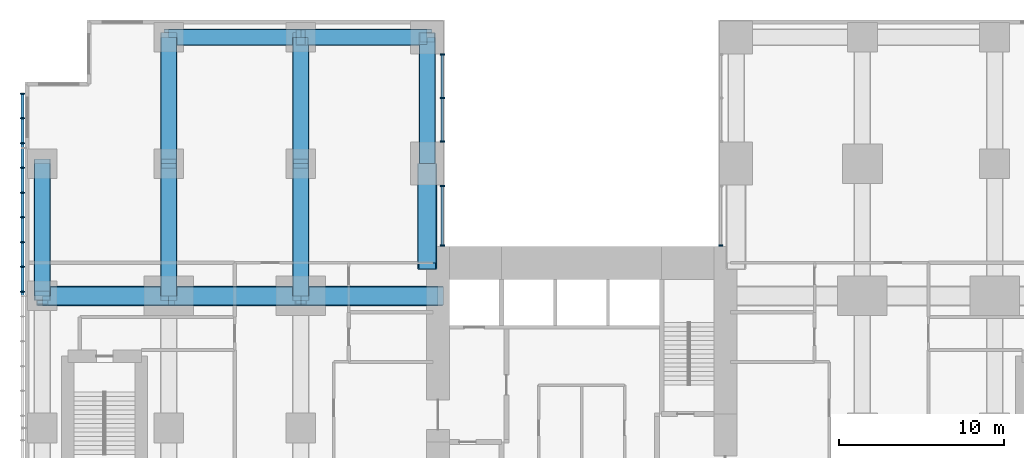
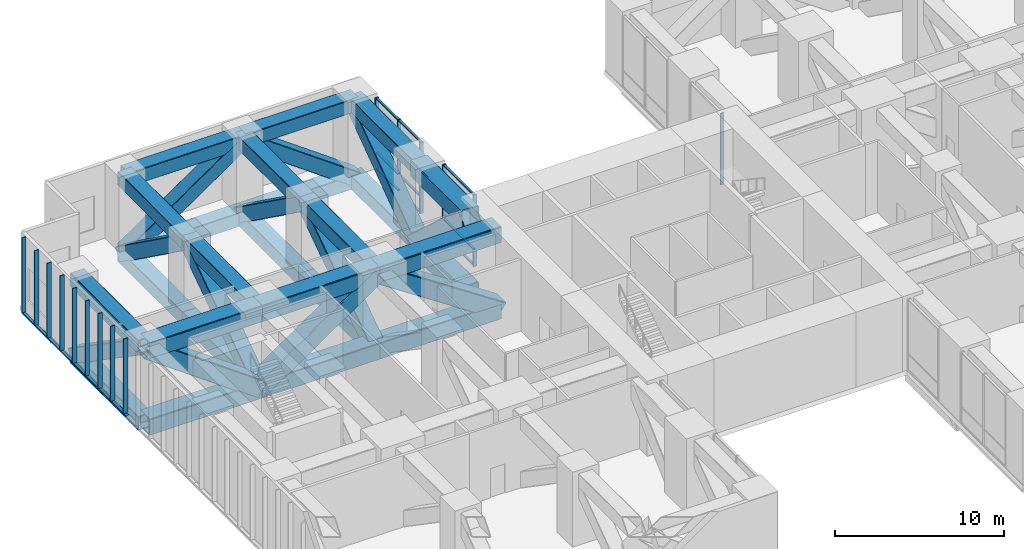
# One storey, part 4 of 15: 61 members, 3 elements without a shape of their own.
"""IFC4 building model written with IfcOpenShell, lengths in metres."""

from ifc_helpers import new_model, si_unit, direction, frame, origin, origin_2d, place, context, subcontext, project, spatial, rectangle, hollow_rectangle, extrude, material, layer, layer_set, material_profile, profile_set, type_object, element, aggregate, save


model = new_model("IFC4")

# Units and contexts
model_context = context("Model", 3, precision=1e-05, world=origin(), true_north=direction((0.0, 1.0)))
body_context = subcontext(model_context, "Body", "Model", "MODEL_VIEW")
ifc_project = project(units=[si_unit("LENGTHUNIT", "METRE"), si_unit("AREAUNIT", "SQUARE_METRE"), si_unit("VOLUMEUNIT", "CUBIC_METRE"), si_unit("PLANEANGLEUNIT", "RADIAN"), si_unit("MASSUNIT", "GRAM", prefix="KILO")], contexts=[model_context])

# Site, building, storey
site_placement = place(None, origin())
site = spatial("IfcSite", under=ifc_project, at=site_placement, CompositionType="ELEMENT")
building_placement = place(site_placement, origin())
building = spatial("IfcBuilding", under=site, at=building_placement, Name="Cleftline Residences", CompositionType="ELEMENT")
storey_placement = place(building_placement, frame((0.0, 0.0, 171.800048828125)))
storey = spatial("IfcBuildingStorey", under=building, at=storey_placement, Name="L45", CompositionType="ELEMENT", Elevation=171.800048828125)

# Members
ifc_material_1 = material(Name="Steel S355, hot-dip galvanised", Category="steel")
ifc_material_profile_1 = material_profile(ifc_material_1, hollow_rectangle(XDim=0.10009765625, YDim=0.199951171875, WallThickness=0.008056640625, InnerFilletRadius=0.008056640625, OuterFilletRadius=0.011962890625, at=origin_2d()))
ifc_profile_set_1 = profile_set([ifc_material_profile_1], Name="Steel S355, hot-dip galvanised")
member_type_1 = type_object("IfcMemberType", Name="BAGUETTE CARRIER RHS 200X100X8", PredefinedType="USERDEFINED", material=ifc_profile_set_1)
member_1_placement = place(storey_placement, frame((-0.85009765625, 44.300048828125, -0.050048828125), z_axis=(0.0, -1.0, 0.0), x_axis=(0.0, 0.0, 1.0)))
element("IfcMember", 1, at=member_1_placement, inside=storey, type_object=member_type_1, Name="Baguette carrier", ObjectType="BAGUETTE CARRIER", PredefinedType="USERDEFINED", context=body_context, shape_type="SweptSolid", body=[
    extrude(hollow_rectangle(XDim=0.10009765625, YDim=0.199951171875, WallThickness=0.008056640625, InnerFilletRadius=0.008056640625, OuterFilletRadius=0.011962890625, at=origin_2d()), origin(), (0.0, 0.0, 1.0), 12.300048828125),
])
ifc_material_2 = material(Name="Steel S355", Category="steel")
ifc_material_profile_2 = material_profile(ifc_material_2, hollow_rectangle(XDim=1.0, YDim=1.0, WallThickness=0.0400390625, InnerFilletRadius=0.0400390625, OuterFilletRadius=0.06005859375, at=origin_2d()))
ifc_profile_set_2 = profile_set([ifc_material_profile_2], Name="Steel S355")
member_type_2 = type_object("IfcMemberType", Name="BRACE BOX 1000X1000X40", PredefinedType="BRACE", material=ifc_profile_set_2)
for number, where, z_axis, x_axis, name in (
    (2, (0.35009765625, 32.0, 4.64990234375), (0.0, 0.824041924199, -0.566528822887), (0.0, 0.566528822887, 0.824041924199), "Belt truss diagonal"),
    (3, (8.0, 32.0, -0.85009765625), (0.0, 0.824041924199, 0.566528822887), (0.0, -0.566528822887, 0.824041924199), "Belt truss diagonal"),
):
    element("IfcMember", number, at=place(storey_placement, frame(where, z_axis=z_axis, x_axis=x_axis)), inside=storey, type_object=member_type_2, Name=name, PredefinedType="BRACE", context=body_context, shape_type="SweptSolid", body=[
        extrude(hollow_rectangle(XDim=1.0, YDim=1.0, WallThickness=0.0400390625, InnerFilletRadius=0.0400390625, OuterFilletRadius=0.06005859375, at=origin_2d()), origin(), (0.0, 0.0, 1.0), 9.708251953125),
    ])
member_2_placement = place(storey_placement, frame((8.0, 40.0, 4.64990234375), z_axis=(0.0, 0.811933238445, -0.583750303048), x_axis=(0.0, 0.583750303048, 0.811933238445)))
element("IfcMember", 4, at=member_2_placement, inside=storey, type_object=member_type_2, Name="Belt truss diagonal", PredefinedType="BRACE", context=body_context, shape_type="SweptSolid", body=[
    extrude(hollow_rectangle(XDim=1.0, YDim=1.0, WallThickness=0.0400390625, InnerFilletRadius=0.0400390625, OuterFilletRadius=0.06005859375, at=origin_2d()), origin(), (0.0, 0.0, 1.0), 9.421875),
])
member_3_placement = place(storey_placement, frame((16.0, 32.0, -0.85009765625), z_axis=(0.0, 0.824041924199, 0.566528822887), x_axis=(0.0, -0.566528822887, 0.824041924199)))
element("IfcMember", 5, at=member_3_placement, inside=storey, type_object=member_type_2, Name="Belt truss diagonal", PredefinedType="BRACE", context=body_context, shape_type="SweptSolid", body=[
    extrude(hollow_rectangle(XDim=1.0, YDim=1.0, WallThickness=0.0400390625, InnerFilletRadius=0.0400390625, OuterFilletRadius=0.06005859375, at=origin_2d()), origin(), (0.0, 0.0, 1.0), 9.708251953125),
])
for number, where, z_axis, x_axis, name in (
    (6, (16.0, 40.0, 4.64990234375), (0.0, 0.811933238445, -0.583750303048), (0.0, 0.583750303048, 0.811933238445), "Belt truss diagonal"),
    (7, (23.64990234375, 40.0, -0.85009765625), (0.0, 0.811933238445, 0.583750303048), (0.0, -0.583750303048, 0.811933238445), "Belt truss diagonal"),
):
    element("IfcMember", number, at=place(storey_placement, frame(where, z_axis=z_axis, x_axis=x_axis)), inside=storey, type_object=member_type_2, Name=name, PredefinedType="BRACE", context=body_context, shape_type="SweptSolid", body=[
        extrude(hollow_rectangle(XDim=1.0, YDim=1.0, WallThickness=0.0400390625, InnerFilletRadius=0.0400390625, OuterFilletRadius=0.06005859375, at=origin_2d()), origin(), (0.0, 0.0, 1.0), 9.421875),
    ])
member_4_placement = place(storey_placement, frame((8.0, 47.64990234375, -0.85009765625), z_axis=(0.824041924199, 0.0, 0.566528822887), x_axis=(-0.566528822887, 0.0, 0.824041924199)))
element("IfcMember", 8, at=member_4_placement, inside=storey, type_object=member_type_2, Name="Belt truss diagonal", PredefinedType="BRACE", context=body_context, shape_type="SweptSolid", body=[
    extrude(hollow_rectangle(XDim=1.0, YDim=1.0, WallThickness=0.0400390625, InnerFilletRadius=0.0400390625, OuterFilletRadius=0.06005859375, at=origin_2d()), origin(), (0.0, 0.0, 1.0), 9.708251953125),
])
member_5_placement = place(storey_placement, frame((16.0, 47.64990234375, 4.64990234375), z_axis=(0.811933238445, 0.0, -0.583750303048), x_axis=(0.583750303048, 0.0, 0.811933238445)))
element("IfcMember", 9, at=member_5_placement, inside=storey, type_object=member_type_2, Name="Belt truss diagonal", PredefinedType="BRACE", context=body_context, shape_type="SweptSolid", body=[
    extrude(hollow_rectangle(XDim=1.0, YDim=1.0, WallThickness=0.0400390625, InnerFilletRadius=0.0400390625, OuterFilletRadius=0.06005859375, at=origin_2d()), origin(), (0.0, 0.0, 1.0), 9.421875),
])
ifc_material_3 = material(Name="Steel S355", Category="steel")
ifc_material_profile_3 = material_profile(ifc_material_3, hollow_rectangle(XDim=1.199951171875, YDim=1.199951171875, WallThickness=0.06005859375, InnerFilletRadius=0.06005859375, OuterFilletRadius=0.090087890625, at=origin_2d()))
ifc_profile_set_3 = profile_set([ifc_material_profile_3], Name="Steel S355")
member_type_3 = type_object("IfcMemberType", Name="BRACE BOX 1200X1200X60", PredefinedType="BRACE", material=ifc_profile_set_3)
member_6_placement = place(storey_placement, frame((24.300048828125, 32.0, -0.949951171875), z_axis=(-0.833593682581, 0.0, 0.552378106338), x_axis=(0.552378106338, 0.0, 0.833593682581)))
element("IfcMember", 10, at=member_6_placement, inside=storey, type_object=member_type_3, Name="Outrigger truss diagonal", PredefinedType="BRACE", context=body_context, shape_type="SweptSolid", body=[
    extrude(hollow_rectangle(XDim=1.199951171875, YDim=1.199951171875, WallThickness=0.06005859375, InnerFilletRadius=0.06005859375, OuterFilletRadius=0.090087890625, at=origin_2d()), origin(), (0.0, 0.0, 1.0), 9.95703125),
])
member_7_placement = place(storey_placement, frame((16.0, 32.0, 4.550048828125), z_axis=(-0.824041924199, 0.0, -0.566528822887), x_axis=(-0.566528822887, 0.0, 0.824041924199)))
element("IfcMember", 11, at=member_7_placement, inside=storey, type_object=member_type_3, Name="Outrigger truss diagonal", PredefinedType="BRACE", context=body_context, shape_type="SweptSolid", body=[
    extrude(hollow_rectangle(XDim=1.199951171875, YDim=1.199951171875, WallThickness=0.06005859375, InnerFilletRadius=0.06005859375, OuterFilletRadius=0.090087890625, at=origin_2d()), origin(), (0.0, 0.0, 1.0), 9.708251953125),
])
member_8_placement = place(storey_placement, frame((8.0, 32.0, -0.949951171875), z_axis=(-0.811933238445, 0.0, 0.583750303048), x_axis=(0.583750303048, 0.0, 0.811933238445)))
element("IfcMember", 12, at=member_8_placement, inside=storey, type_object=member_type_3, Name="Outrigger truss diagonal", PredefinedType="BRACE", context=body_context, shape_type="SweptSolid", body=[
    extrude(hollow_rectangle(XDim=1.199951171875, YDim=1.199951171875, WallThickness=0.06005859375, InnerFilletRadius=0.06005859375, OuterFilletRadius=0.090087890625, at=origin_2d()), origin(), (0.0, 0.0, 1.0), 9.421875),
])
member_9_placement = place(storey_placement, frame((23.64990234375, 40.0, -0.949951171875), z_axis=(0.0, -0.737154140201, 0.675724628517), x_axis=(0.0, 0.675724628517, 0.737154140201)))
element("IfcMember", 13, at=member_9_placement, inside=storey, type_object=member_type_3, Name="Outrigger truss diagonal", PredefinedType="BRACE", context=body_context, shape_type="SweptSolid", body=[
    extrude(hollow_rectangle(XDim=1.199951171875, YDim=1.199951171875, WallThickness=0.06005859375, InnerFilletRadius=0.06005859375, OuterFilletRadius=0.090087890625, at=origin_2d()), origin(), (0.0, 0.0, 1.0), 8.139404296875),
])
ifc_material_4 = material(Name="Steel S355", Category="steel")
ifc_material_profile_4 = material_profile(ifc_material_4, hollow_rectangle(XDim=1.0, YDim=1.0, WallThickness=0.0400390625, InnerFilletRadius=0.0400390625, OuterFilletRadius=0.06005859375, at=origin_2d()))
ifc_profile_set_4 = profile_set([ifc_material_profile_4], Name="Steel S355")
member_type_4 = type_object("IfcMemberType", Name="CHORD BOX 1000X1000X40", PredefinedType="CHORD", material=ifc_profile_set_4)
for number, where, z_axis, x_axis, name in (
    (14, (0.35009765625, 32.0, -0.85009765625), (0.0, 1.0, 0.0), (-1.0, 0.0, 0.0), "Belt truss bottom chord"),
    (15, (0.35009765625, 32.0, 4.64990234375), (0.0, 1.0, 0.0), (-1.0, 0.0, 0.0), "Belt truss top chord"),
    (16, (8.0, 32.0, -0.85009765625), (0.0, 1.0, 0.0), (-1.0, 0.0, 0.0), "Belt truss bottom chord"),
    (17, (8.0, 32.0, 4.64990234375), (0.0, 1.0, 0.0), (-1.0, 0.0, 0.0), "Belt truss top chord"),
):
    element("IfcMember", number, at=place(storey_placement, frame(where, z_axis=z_axis, x_axis=x_axis)), inside=storey, type_object=member_type_4, Name=name, PredefinedType="CHORD", context=body_context, shape_type="SweptSolid", body=[
        extrude(hollow_rectangle(XDim=1.0, YDim=1.0, WallThickness=0.0400390625, InnerFilletRadius=0.0400390625, OuterFilletRadius=0.06005859375, at=origin_2d()), origin(), (0.0, 0.0, 1.0), 8.0),
    ])
for number, where, z_axis, x_axis, name in (
    (18, (8.0, 40.0, -0.85009765625), (0.0, 1.0, 0.0), (-1.0, 0.0, 0.0), "Belt truss bottom chord"),
    (19, (8.0, 40.0, 4.64990234375), (0.0, 1.0, 0.0), (-1.0, 0.0, 0.0), "Belt truss top chord"),
):
    element("IfcMember", number, at=place(storey_placement, frame(where, z_axis=z_axis, x_axis=x_axis)), inside=storey, type_object=member_type_4, Name=name, PredefinedType="CHORD", context=body_context, shape_type="SweptSolid", body=[
        extrude(hollow_rectangle(XDim=1.0, YDim=1.0, WallThickness=0.0400390625, InnerFilletRadius=0.0400390625, OuterFilletRadius=0.06005859375, at=origin_2d()), origin(), (0.0, 0.0, 1.0), 7.64990234375),
    ])
for number, where, z_axis, x_axis, name in (
    (20, (16.0, 32.0, -0.85009765625), (0.0, 1.0, 0.0), (-1.0, 0.0, 0.0), "Belt truss bottom chord"),
    (21, (16.0, 32.0, 4.64990234375), (0.0, 1.0, 0.0), (-1.0, 0.0, 0.0), "Belt truss top chord"),
):
    element("IfcMember", number, at=place(storey_placement, frame(where, z_axis=z_axis, x_axis=x_axis)), inside=storey, type_object=member_type_4, Name=name, PredefinedType="CHORD", context=body_context, shape_type="SweptSolid", body=[
        extrude(hollow_rectangle(XDim=1.0, YDim=1.0, WallThickness=0.0400390625, InnerFilletRadius=0.0400390625, OuterFilletRadius=0.06005859375, at=origin_2d()), origin(), (0.0, 0.0, 1.0), 8.0),
    ])
for number, where, z_axis, x_axis, name in (
    (22, (16.0, 40.0, -0.85009765625), (0.0, 1.0, 0.0), (-1.0, 0.0, 0.0), "Belt truss bottom chord"),
    (23, (16.0, 40.0, 4.64990234375), (0.0, 1.0, 0.0), (-1.0, 0.0, 0.0), "Belt truss top chord"),
    (24, (23.64990234375, 40.0, -0.85009765625), (0.0, 1.0, 0.0), (-1.0, 0.0, 0.0), "Belt truss bottom chord"),
    (25, (23.64990234375, 40.0, 4.64990234375), (0.0, 1.0, 0.0), (-1.0, 0.0, 0.0), "Belt truss top chord"),
):
    element("IfcMember", number, at=place(storey_placement, frame(where, z_axis=z_axis, x_axis=x_axis)), inside=storey, type_object=member_type_4, Name=name, PredefinedType="CHORD", context=body_context, shape_type="SweptSolid", body=[
        extrude(hollow_rectangle(XDim=1.0, YDim=1.0, WallThickness=0.0400390625, InnerFilletRadius=0.0400390625, OuterFilletRadius=0.06005859375, at=origin_2d()), origin(), (0.0, 0.0, 1.0), 7.64990234375),
    ])
for number, where, z_axis, x_axis, name in (
    (26, (8.0, 47.64990234375, -0.85009765625), (1.0, 0.0, 0.0), (0.0, 1.0, 0.0), "Belt truss bottom chord"),
    (27, (8.0, 47.64990234375, 4.64990234375), (1.0, 0.0, 0.0), (0.0, 1.0, 0.0), "Belt truss top chord"),
):
    element("IfcMember", number, at=place(storey_placement, frame(where, z_axis=z_axis, x_axis=x_axis)), inside=storey, type_object=member_type_4, Name=name, PredefinedType="CHORD", context=body_context, shape_type="SweptSolid", body=[
        extrude(hollow_rectangle(XDim=1.0, YDim=1.0, WallThickness=0.0400390625, InnerFilletRadius=0.0400390625, OuterFilletRadius=0.06005859375, at=origin_2d()), origin(), (0.0, 0.0, 1.0), 8.0),
    ])
for number, where, z_axis, x_axis, name in (
    (28, (16.0, 47.64990234375, -0.85009765625), (1.0, 0.0, 0.0), (0.0, 1.0, 0.0), "Belt truss bottom chord"),
    (29, (16.0, 47.64990234375, 4.64990234375), (1.0, 0.0, 0.0), (0.0, 1.0, 0.0), "Belt truss top chord"),
):
    element("IfcMember", number, at=place(storey_placement, frame(where, z_axis=z_axis, x_axis=x_axis)), inside=storey, type_object=member_type_4, Name=name, PredefinedType="CHORD", context=body_context, shape_type="SweptSolid", body=[
        extrude(hollow_rectangle(XDim=1.0, YDim=1.0, WallThickness=0.0400390625, InnerFilletRadius=0.0400390625, OuterFilletRadius=0.06005859375, at=origin_2d()), origin(), (0.0, 0.0, 1.0), 7.64990234375),
    ])
ifc_material_5 = material(Name="Steel S355", Category="steel")
ifc_material_profile_5 = material_profile(ifc_material_5, hollow_rectangle(XDim=1.199951171875, YDim=1.199951171875, WallThickness=0.06005859375, InnerFilletRadius=0.06005859375, OuterFilletRadius=0.090087890625, at=origin_2d()))
ifc_profile_set_5 = profile_set([ifc_material_profile_5], Name="Steel S355")
member_type_5 = type_object("IfcMemberType", Name="CHORD BOX 1200X1200X60", PredefinedType="CHORD", material=ifc_profile_set_5)
for number, where, z_axis, x_axis, name in (
    (30, (24.300048828125, 32.0, -0.949951171875), (-1.0, 0.0, 0.0), (0.0, -1.0, 0.0), "Outrigger truss bottom chord"),
    (31, (24.300048828125, 32.0, 4.550048828125), (-1.0, 0.0, 0.0), (0.0, -1.0, 0.0), "Outrigger truss top chord"),
):
    element("IfcMember", number, at=place(storey_placement, frame(where, z_axis=z_axis, x_axis=x_axis)), inside=storey, type_object=member_type_5, Name=name, PredefinedType="CHORD", context=body_context, shape_type="SweptSolid", body=[
        extrude(hollow_rectangle(XDim=1.199951171875, YDim=1.199951171875, WallThickness=0.06005859375, InnerFilletRadius=0.06005859375, OuterFilletRadius=0.090087890625, at=origin_2d()), origin(), (0.0, 0.0, 1.0), 8.300048828125),
    ])
for number, where, z_axis, x_axis, name in (
    (32, (16.0, 32.0, -0.949951171875), (-1.0, 0.0, 0.0), (0.0, -1.0, 0.0), "Outrigger truss bottom chord"),
    (33, (16.0, 32.0, 4.550048828125), (-1.0, 0.0, 0.0), (0.0, -1.0, 0.0), "Outrigger truss top chord"),
):
    element("IfcMember", number, at=place(storey_placement, frame(where, z_axis=z_axis, x_axis=x_axis)), inside=storey, type_object=member_type_5, Name=name, PredefinedType="CHORD", context=body_context, shape_type="SweptSolid", body=[
        extrude(hollow_rectangle(XDim=1.199951171875, YDim=1.199951171875, WallThickness=0.06005859375, InnerFilletRadius=0.06005859375, OuterFilletRadius=0.090087890625, at=origin_2d()), origin(), (0.0, 0.0, 1.0), 8.0),
    ])
for number, where, z_axis, x_axis, name in (
    (34, (8.0, 32.0, -0.949951171875), (-1.0, 0.0, 0.0), (0.0, -1.0, 0.0), "Outrigger truss bottom chord"),
    (35, (8.0, 32.0, 4.550048828125), (-1.0, 0.0, 0.0), (0.0, -1.0, 0.0), "Outrigger truss top chord"),
):
    element("IfcMember", number, at=place(storey_placement, frame(where, z_axis=z_axis, x_axis=x_axis)), inside=storey, type_object=member_type_5, Name=name, PredefinedType="CHORD", context=body_context, shape_type="SweptSolid", body=[
        extrude(hollow_rectangle(XDim=1.199951171875, YDim=1.199951171875, WallThickness=0.06005859375, InnerFilletRadius=0.06005859375, OuterFilletRadius=0.090087890625, at=origin_2d()), origin(), (0.0, 0.0, 1.0), 7.64990234375),
    ])
for number, where, z_axis, x_axis, name in (
    (36, (23.64990234375, 40.0, -0.949951171875), (0.0, -1.0, 0.0), (1.0, 0.0, 0.0), "Outrigger truss bottom chord"),
    (37, (23.64990234375, 40.0, 4.550048828125), (0.0, -1.0, 0.0), (1.0, 0.0, 0.0), "Outrigger truss top chord"),
):
    element("IfcMember", number, at=place(storey_placement, frame(where, z_axis=z_axis, x_axis=x_axis)), inside=storey, type_object=member_type_5, Name=name, PredefinedType="CHORD", context=body_context, shape_type="SweptSolid", body=[
        extrude(hollow_rectangle(XDim=1.199951171875, YDim=1.199951171875, WallThickness=0.06005859375, InnerFilletRadius=0.06005859375, OuterFilletRadius=0.090087890625, at=origin_2d()), origin(), (0.0, 0.0, 1.0), 6.0),
    ])

# Curtain wall, member
ifc_material_6 = material(Name="Aluminium framed louvre screen", Category="aluminium")
ifc_layer = layer(ifc_material_6, 0.25)
ifc_layer_set = layer_set([ifc_layer], Name="CW6 REFUGE LOUVRE SCREEN")
curtain_wall_type = type_object("IfcCurtainWallType", Name="CW6 REFUGE LOUVRE SCREEN", PredefinedType="NOTDEFINED", material=ifc_layer_set)
curtain_wall_1_placement = place(storey_placement, origin())
curtain_wall_1 = element("IfcCurtainWall", 38, at=curtain_wall_1_placement, inside=storey, type_object=curtain_wall_type, Name="Louvre screen CW6", PredefinedType="NOTDEFINED")
ifc_material_7 = material(Name="Aluminium louvre mullion", Category="aluminium")
ifc_material_profile_6 = material_profile(ifc_material_7, rectangle(XDim=0.25, YDim=0.080078125, at=origin_2d()))
ifc_profile_set_6 = profile_set([ifc_material_profile_6], Name="Aluminium louvre mullion")
member_type_6 = type_object("IfcMemberType", Name="CW6 LOUVRE MULLION", PredefinedType="MULLION", material=ifc_profile_set_6)
member_10_placement = place(storey_placement, frame((41.425048828125, 35.0400390625, 0.0), z_axis=(0.0, 0.0, 1.0), x_axis=(1.0, 0.0, 0.0)))
member_10 = element("IfcMember", 39, at=member_10_placement, type_object=member_type_6, Name="CW6 mullion 2", PredefinedType="MULLION", context=body_context, shape_type="SweptSolid", body=[
    extrude(rectangle(XDim=0.25, YDim=0.080078125, at=origin_2d()), origin(), (0.0, 0.0, 1.0), 5.14990234375),
])
aggregate(curtain_wall_1, [member_10])

# Curtain wall, members
curtain_wall_2_placement = place(storey_placement, origin())
curtain_wall_2 = element("IfcCurtainWall", 40, at=curtain_wall_2_placement, inside=storey, type_object=curtain_wall_type, Name="Louvre screen CW6", PredefinedType="NOTDEFINED")
member_11_placement = place(storey_placement, frame((24.574951171875, 35.0400390625, 0.0), z_axis=(0.0, 0.0, 1.0), x_axis=(-1.0, 0.0, 0.0)))
member_11 = element("IfcMember", 41, at=member_11_placement, type_object=member_type_6, Name="CW6 mullion 1", PredefinedType="MULLION", context=body_context, shape_type="SweptSolid", body=[
    extrude(rectangle(XDim=0.25, YDim=0.080078125, at=origin_2d()), origin(), (0.0, 0.0, 1.0), 5.14990234375),
])
member_12_placement = place(storey_placement, frame((24.574951171875, 38.659912109375, 0.0), z_axis=(0.0, 0.0, 1.0), x_axis=(-1.0, 0.0, 0.0)))
member_12 = element("IfcMember", 42, at=member_12_placement, type_object=member_type_6, Name="CW6 mullion 2", PredefinedType="MULLION", context=body_context, shape_type="SweptSolid", body=[
    extrude(rectangle(XDim=0.25, YDim=0.080078125, at=origin_2d()), origin(), (0.0, 0.0, 1.0), 5.14990234375),
])

curtain_wall_3_placement = place(storey_placement, origin())
curtain_wall_3 = element("IfcCurtainWall", 43, at=curtain_wall_3_placement, inside=storey, type_object=curtain_wall_type, Name="Louvre screen CW6", PredefinedType="NOTDEFINED")
member_13_placement = place(storey_placement, frame((24.574951171875, 41.340087890625, 0.0), z_axis=(0.0, 0.0, 1.0), x_axis=(-1.0, 0.0, 0.0)))
member_13 = element("IfcMember", 44, at=member_13_placement, type_object=member_type_6, Name="CW6 mullion 1", PredefinedType="MULLION", context=body_context, shape_type="SweptSolid", body=[
    extrude(rectangle(XDim=0.25, YDim=0.080078125, at=origin_2d()), origin(), (0.0, 0.0, 1.0), 5.14990234375),
])
member_14_placement = place(storey_placement, frame((24.574951171875, 43.97509765625, 0.0), z_axis=(0.0, 0.0, 1.0), x_axis=(-1.0, 0.0, 0.0)))
member_14 = element("IfcMember", 45, at=member_14_placement, type_object=member_type_6, Name="CW6 mullion 2", PredefinedType="MULLION", context=body_context, shape_type="SweptSolid", body=[
    extrude(rectangle(XDim=0.25, YDim=0.080078125, at=origin_2d()), origin(), (0.0, 0.0, 1.0), 5.14990234375),
])
member_15_placement = place(storey_placement, frame((24.574951171875, 46.610107421875, 0.0), z_axis=(0.0, 0.0, 1.0), x_axis=(-1.0, 0.0, 0.0)))
member_15 = element("IfcMember", 46, at=member_15_placement, type_object=member_type_6, Name="CW6 mullion 3", PredefinedType="MULLION", context=body_context, shape_type="SweptSolid", body=[
    extrude(rectangle(XDim=0.25, YDim=0.080078125, at=origin_2d()), origin(), (0.0, 0.0, 1.0), 5.14990234375),
])

# Member
ifc_material_8 = material(Name="Aluminium louvre transom", Category="aluminium")
ifc_material_profile_7 = material_profile(ifc_material_8, rectangle(XDim=0.14990234375, YDim=0.080078125, at=origin_2d()))
ifc_profile_set_7 = profile_set([ifc_material_profile_7], Name="Aluminium louvre transom")
member_type_7 = type_object("IfcMemberType", Name="CW6 LOUVRE TRANSOM", PredefinedType="USERDEFINED", material=ifc_profile_set_7)
member_16_placement = place(storey_placement, frame((24.574951171875, 35.080078125, 0.0400390625), z_axis=(0.0, 1.0, 0.0), x_axis=(-1.0, 0.0, 0.0)))
member_16 = element("IfcMember", 47, at=member_16_placement, type_object=member_type_7, Name="CW6 transom 1.1", ObjectType="TRANSOM", PredefinedType="USERDEFINED", context=body_context, shape_type="SweptSolid", body=[
    extrude(rectangle(XDim=0.14990234375, YDim=0.080078125, at=origin_2d()), origin(), (0.0, 0.0, 1.0), 3.5400390625),
])

member_17_placement = place(storey_placement, frame((24.574951171875, 35.080078125, 1.199951171875), z_axis=(0.0, 1.0, 0.0), x_axis=(-1.0, 0.0, 0.0)))
member_17 = element("IfcMember", 48, at=member_17_placement, type_object=member_type_7, Name="CW6 transom 1.2", ObjectType="TRANSOM", PredefinedType="USERDEFINED", context=body_context, shape_type="SweptSolid", body=[
    extrude(rectangle(XDim=0.14990234375, YDim=0.080078125, at=origin_2d()), origin(), (0.0, 0.0, 1.0), 3.5400390625),
])

member_18_placement = place(storey_placement, frame((24.574951171875, 35.080078125, 5.10986328125), z_axis=(0.0, 1.0, 0.0), x_axis=(-1.0, 0.0, 0.0)))
member_18 = element("IfcMember", 49, at=member_18_placement, type_object=member_type_7, Name="CW6 transom 1.3", ObjectType="TRANSOM", PredefinedType="USERDEFINED", context=body_context, shape_type="SweptSolid", body=[
    extrude(rectangle(XDim=0.14990234375, YDim=0.080078125, at=origin_2d()), origin(), (0.0, 0.0, 1.0), 3.5400390625),
])

aggregate(curtain_wall_2, [member_11, member_12, member_16, member_17, member_18])

member_19_placement = place(storey_placement, frame((24.574951171875, 41.3798828125, 0.0400390625), z_axis=(0.0, 1.0, 0.0), x_axis=(-1.0, 0.0, 0.0)))
member_19 = element("IfcMember", 50, at=member_19_placement, type_object=member_type_7, Name="CW6 transom 1.1", ObjectType="TRANSOM", PredefinedType="USERDEFINED", context=body_context, shape_type="SweptSolid", body=[
    extrude(rectangle(XDim=0.14990234375, YDim=0.080078125, at=origin_2d()), origin(), (0.0, 0.0, 1.0), 2.55517578125),
])

member_20_placement = place(storey_placement, frame((24.574951171875, 41.3798828125, 1.199951171875), z_axis=(0.0, 1.0, 0.0), x_axis=(-1.0, 0.0, 0.0)))
member_20 = element("IfcMember", 51, at=member_20_placement, type_object=member_type_7, Name="CW6 transom 1.2", ObjectType="TRANSOM", PredefinedType="USERDEFINED", context=body_context, shape_type="SweptSolid", body=[
    extrude(rectangle(XDim=0.14990234375, YDim=0.080078125, at=origin_2d()), origin(), (0.0, 0.0, 1.0), 2.55517578125),
])

member_21_placement = place(storey_placement, frame((24.574951171875, 41.3798828125, 5.10986328125), z_axis=(0.0, 1.0, 0.0), x_axis=(-1.0, 0.0, 0.0)))
member_21 = element("IfcMember", 52, at=member_21_placement, type_object=member_type_7, Name="CW6 transom 1.3", ObjectType="TRANSOM", PredefinedType="USERDEFINED", context=body_context, shape_type="SweptSolid", body=[
    extrude(rectangle(XDim=0.14990234375, YDim=0.080078125, at=origin_2d()), origin(), (0.0, 0.0, 1.0), 2.55517578125),
])

member_22_placement = place(storey_placement, frame((24.574951171875, 44.014892578125, 0.0400390625), z_axis=(0.0, 1.0, 0.0), x_axis=(-1.0, 0.0, 0.0)))
member_22 = element("IfcMember", 53, at=member_22_placement, type_object=member_type_7, Name="CW6 transom 2.1", ObjectType="TRANSOM", PredefinedType="USERDEFINED", context=body_context, shape_type="SweptSolid", body=[
    extrude(rectangle(XDim=0.14990234375, YDim=0.080078125, at=origin_2d()), origin(), (0.0, 0.0, 1.0), 2.55517578125),
])

member_23_placement = place(storey_placement, frame((24.574951171875, 44.014892578125, 1.199951171875), z_axis=(0.0, 1.0, 0.0), x_axis=(-1.0, 0.0, 0.0)))
member_23 = element("IfcMember", 54, at=member_23_placement, type_object=member_type_7, Name="CW6 transom 2.2", ObjectType="TRANSOM", PredefinedType="USERDEFINED", context=body_context, shape_type="SweptSolid", body=[
    extrude(rectangle(XDim=0.14990234375, YDim=0.080078125, at=origin_2d()), origin(), (0.0, 0.0, 1.0), 2.55517578125),
])

member_24_placement = place(storey_placement, frame((24.574951171875, 44.014892578125, 5.10986328125), z_axis=(0.0, 1.0, 0.0), x_axis=(-1.0, 0.0, 0.0)))
member_24 = element("IfcMember", 55, at=member_24_placement, type_object=member_type_7, Name="CW6 transom 2.3", ObjectType="TRANSOM", PredefinedType="USERDEFINED", context=body_context, shape_type="SweptSolid", body=[
    extrude(rectangle(XDim=0.14990234375, YDim=0.080078125, at=origin_2d()), origin(), (0.0, 0.0, 1.0), 2.55517578125),
])

aggregate(curtain_wall_3, [member_13, member_14, member_15, member_19, member_20, member_21, member_22, member_23, member_24])

# Members
ifc_material_9 = material(Name="Extruded terracotta", Category="masonry")
ifc_material_profile_8 = material_profile(ifc_material_9, rectangle(XDim=0.06005859375, YDim=0.300048828125, at=origin_2d()))
ifc_profile_set_8 = profile_set([ifc_material_profile_8], Name="Extruded terracotta")
member_type_8 = type_object("IfcMemberType", Name="TERRACOTTA BAGUETTE 60X300", PredefinedType="USERDEFINED", material=ifc_profile_set_8)
for number, where, z_axis, x_axis, name in (
    (56, (-0.85009765625, 44.25, 0.0), (0.0, 0.0, 1.0), (0.0, 1.0, 0.0), "Terracotta baguette"),
    (57, (-0.85009765625, 42.75, 0.0), (0.0, 0.0, 1.0), (0.0, 1.0, 0.0), "Terracotta baguette"),
    (58, (-0.85009765625, 41.25, 0.0), (0.0, 0.0, 1.0), (0.0, 1.0, 0.0), "Terracotta baguette"),
    (59, (-0.85009765625, 39.75, 0.0), (0.0, 0.0, 1.0), (0.0, 1.0, 0.0), "Terracotta baguette"),
    (60, (-0.85009765625, 38.25, 0.0), (0.0, 0.0, 1.0), (0.0, 1.0, 0.0), "Terracotta baguette"),
    (61, (-0.85009765625, 36.75, 0.0), (0.0, 0.0, 1.0), (0.0, 1.0, 0.0), "Terracotta baguette"),
    (62, (-0.85009765625, 35.25, 0.0), (0.0, 0.0, 1.0), (0.0, 1.0, 0.0), "Terracotta baguette"),
    (63, (-0.85009765625, 33.75, 0.0), (0.0, 0.0, 1.0), (0.0, 1.0, 0.0), "Terracotta baguette"),
    (64, (-0.85009765625, 32.25, 0.0), (0.0, 0.0, 1.0), (0.0, 1.0, 0.0), "Terracotta baguette"),
):
    element("IfcMember", number, at=place(storey_placement, frame(where, z_axis=z_axis, x_axis=x_axis)), inside=storey, type_object=member_type_8, Name=name, ObjectType="BAGUETTE", PredefinedType="USERDEFINED", context=body_context, shape_type="SweptSolid", body=[
        extrude(rectangle(XDim=0.06005859375, YDim=0.300048828125, at=origin_2d()), origin(), (0.0, 0.0, 1.0), 5.39990234375),
    ])

save(model, "model.ifc")
